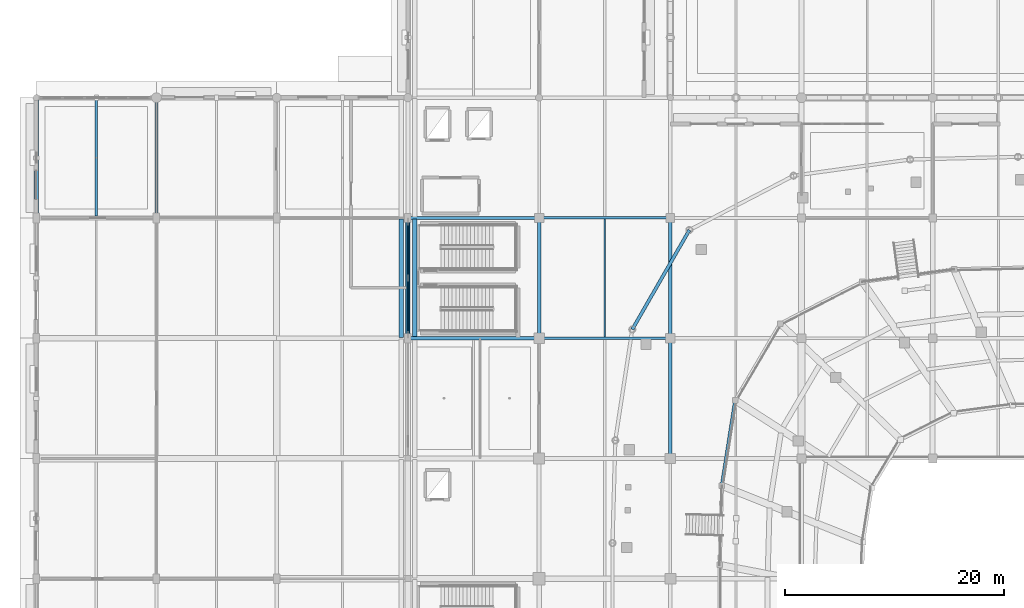
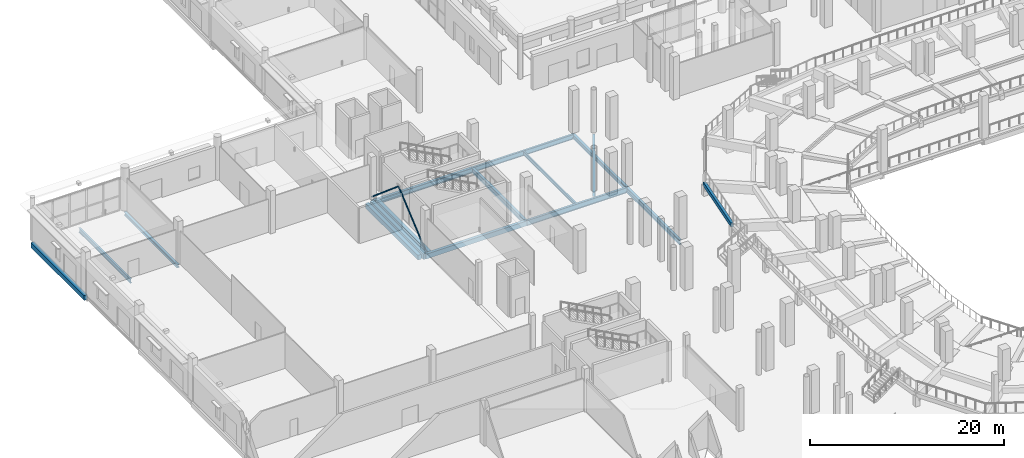
# One storey, part 22 of 120: 16 beams, 2 members.
"""IFC4 building model written with IfcOpenShell, lengths in metres."""

from ifc_helpers import new_model, si_unit, direction, frame, origin, origin_2d, place, context, subcontext, project, spatial, rectangle, hollow_rectangle, hollow_circle, i_section, extrude, material, material_profile, profile_set, type_object, element, save


model = new_model("IFC4")

# Units and contexts
model_context = context("Model", 3, precision=1e-05, world=origin(), true_north=direction((0.0, 1.0)))
body_context = subcontext(model_context, "Body", "Model", "MODEL_VIEW")
ifc_project = project(units=[si_unit("LENGTHUNIT", "METRE"), si_unit("AREAUNIT", "SQUARE_METRE"), si_unit("VOLUMEUNIT", "CUBIC_METRE"), si_unit("PLANEANGLEUNIT", "RADIAN"), si_unit("MASSUNIT", "GRAM", prefix="KILO")], contexts=[model_context])

# Site, building, storey
site_placement = place(None, origin())
site = spatial("IfcSite", under=ifc_project, at=site_placement, CompositionType="ELEMENT")
building_placement = place(site_placement, origin())
building = spatial("IfcBuilding", under=site, at=building_placement, Name="Luwafu Chhajja Arena", CompositionType="ELEMENT")
storey_placement = place(building_placement, origin())
storey = spatial("IfcBuildingStorey", under=building, at=storey_placement, Name="L00", CompositionType="ELEMENT", Elevation=0.0)

# Beam
ifc_material_1 = material(Name="Concrete C35/45", Category="concrete")
ifc_material_profile_1 = material_profile(ifc_material_1, rectangle(XDim=0.35009765625, YDim=0.60009765625, at=origin_2d()), Name="RC 350x600")
ifc_profile_set_1 = profile_set([ifc_material_profile_1], Name="Concrete C35/45")
beam_type_1 = type_object("IfcBeamType", Name="Arcade Tie Beam RC 350x600", PredefinedType="BEAM", material=ifc_profile_set_1)
beam_1_placement = place(storey_placement, frame((34.0, 77.0, -0.64990234375), z_axis=(1.0, 0.0, 0.0), x_axis=(0.0, 1.0, 0.0)))
element("IfcBeam", 1, at=beam_1_placement, inside=storey, type_object=beam_type_1, Name="L00 Grid Beam 4-5/H", PredefinedType="BEAM", context=body_context, shape_type="SweptSolid", body=[
    extrude(rectangle(XDim=0.35009765625, YDim=0.60009765625, at=origin_2d()), origin(), (0.0, 0.0, 1.0), 12.0),
])

# Members
ifc_material_2 = material(Name="Steel S355", Category="steel")
ifc_material_profile_2 = material_profile(ifc_material_2, hollow_circle(Radius=0.084228515625, WallThickness=0.008056640625, at=origin_2d()), Name="CHS 168.3x8")
ifc_profile_set_2 = profile_set([ifc_material_profile_2], Name="Steel S355")
member_type = type_object("IfcMemberType", Name="Canopy Hanger Brace CHS 168", PredefinedType="BRACE", material=ifc_profile_set_2)
for number, where, z_axis, x_axis, name in (
    (2, (34.0, 77.0, 0.1201171875), (0.0, 0.763656234515, 0.645623075398), (-1.0, 0.0, 0.0), "L00 Lateral Chevron Brace 12A"),
    (3, (34.0, 88.0, 0.1201171875), (0.0, -0.763656234515, 0.645623075398), (1.0, 0.0, 0.0), "L00 Lateral Chevron Brace 12B"),
):
    element("IfcMember", number, at=place(storey_placement, frame(where, z_axis=z_axis, x_axis=x_axis)), inside=storey, type_object=member_type, Name=name, PredefinedType="BRACE", context=body_context, shape_type="SweptSolid", body=[
        extrude(hollow_circle(Radius=0.084228515625, WallThickness=0.008056640625, at=origin_2d()), origin(), (0.0, 0.0, 1.0), 7.2021484375),
    ])

# Beams
ifc_material_profile_3 = material_profile(ifc_material_2, i_section(OverallWidth=0.15283203125, OverallDepth=0.45458984375, WebThickness=0.008056640625, FlangeThickness=0.01318359375, at=origin_2d()), Name="UB 457x152x60")
ifc_profile_set_3 = profile_set([ifc_material_profile_3], Name="Steel S355")
beam_type_2 = type_object("IfcBeamType", Name="Floor Joist UB 457x152x60", PredefinedType="JOIST", material=ifc_profile_set_3)
beam_2_placement = place(storey_placement, frame((52.0, 77.126953125, -0.577392578125), z_axis=(0.0, 1.0, 0.0), x_axis=(-1.0, 0.0, 0.0)))
element("IfcBeam", 4, at=beam_2_placement, inside=storey, type_object=beam_type_2, Name="L00 Secondary Joist 5-6/H", PredefinedType="JOIST", context=body_context, shape_type="SweptSolid", body=[
    extrude(i_section(OverallWidth=0.15283203125, OverallDepth=0.45458984375, WebThickness=0.008056640625, FlangeThickness=0.01318359375, at=origin_2d()), origin(), (0.0, 0.0, 1.0), 10.758544921875),
])
ifc_material_profile_4 = material_profile(ifc_material_2, i_section(OverallWidth=0.2099609375, OverallDepth=0.53662109375, WebThickness=0.0107421875, FlangeThickness=0.017333984375, at=origin_2d()), Name="UB 533x210x101")
ifc_profile_set_4 = profile_set([ifc_material_profile_4], Name="Steel S355")
beam_type_3 = type_object("IfcBeamType", Name="Floor Joist UB 533x210x101", PredefinedType="JOIST", material=ifc_profile_set_4)
beam_3_placement = place(storey_placement, frame((5.5, 88.199951171875, -0.618408203125), z_axis=(0.0, 1.0, 0.0), x_axis=(-1.0, 0.0, 0.0)))
element("IfcBeam", 5, at=beam_3_placement, inside=storey, type_object=beam_type_3, Name="L00 Secondary Joist 1-2/J", PredefinedType="JOIST", context=body_context, shape_type="SweptSolid", body=[
    extrude(i_section(OverallWidth=0.2099609375, OverallDepth=0.53662109375, WebThickness=0.0107421875, FlangeThickness=0.017333984375, at=origin_2d()), origin(), (0.0, 0.0, 1.0), 10.650146484375),
])
ifc_material_profile_5 = material_profile(ifc_material_2, hollow_rectangle(XDim=0.300048828125, YDim=0.5, WallThickness=0.02001953125, at=origin_2d()), Name="RHS 500x300x20")
ifc_profile_set_5 = profile_set([ifc_material_profile_5], Name="Steel S355")
beam_type_4 = type_object("IfcBeamType", Name="Pleated Drum Spandrel Beam RHS 500x300", PredefinedType="SPANDREL", material=ifc_profile_set_5)
beam_4_placement = place(storey_placement, frame((59.743896484375, 86.890869140625, -0.60009765625), z_axis=(-0.498192671921, -0.867066353657, 0.0), x_axis=(0.867066353657, -0.498192671921, 0.0)))
element("IfcBeam", 6, at=beam_4_placement, inside=storey, type_object=beam_type_4, Name="L00 Drum Ring Spandrel D13-D14", PredefinedType="SPANDREL", context=body_context, shape_type="SweptSolid", body=[
    extrude(hollow_rectangle(XDim=0.300048828125, YDim=0.5, WallThickness=0.02001953125, at=origin_2d()), origin(), (0.0, 0.0, 1.0), 10.477783203125),
])
ifc_material_profile_6 = material_profile(ifc_material_1, rectangle(XDim=0.39990234375, YDim=0.60009765625, at=origin_2d()), Name="RC 400x600")
ifc_profile_set_6 = profile_set([ifc_material_profile_6], Name="Concrete C35/45")
beam_type_5 = type_object("IfcBeamType", Name="Podium Perimeter Spandrel RC 400x600", PredefinedType="SPANDREL", material=ifc_profile_set_6)
beam_5_placement = place(storey_placement, frame((0.0, 88.0, -0.64990234375), z_axis=(0.0, 1.0, 0.0), x_axis=(-1.0, 0.0, 0.0)))
element("IfcBeam", 7, at=beam_5_placement, inside=storey, type_object=beam_type_5, Name="L00 Grid Beam 1/J-K", PredefinedType="SPANDREL", context=body_context, shape_type="SweptSolid", body=[
    extrude(rectangle(XDim=0.39990234375, YDim=0.60009765625, at=origin_2d()), origin(), (0.0, 0.0, 1.0), 11.0),
])
for number, where, z_axis, x_axis, name in (
    (8, (33.3798828125, 77.080078125, -0.64990234375), (0.0, 1.0, 0.0), (-1.0, 0.0, 0.0), "L00 Movement Joint MJ1W Seat Girder 07"),
    (9, (34.6201171875, 77.080078125, -0.64990234375), (0.0, 1.0, 0.0), (-1.0, 0.0, 0.0), "L00 Movement Joint MJ1E Seat Girder 07"),
):
    element("IfcBeam", number, at=place(storey_placement, frame(where, z_axis=z_axis, x_axis=x_axis)), inside=storey, type_object=beam_type_5, Name=name, PredefinedType="SPANDREL", context=body_context, shape_type="SweptSolid", body=[
        extrude(rectangle(XDim=0.39990234375, YDim=0.60009765625, at=origin_2d()), origin(), (0.0, 0.0, 1.0), 10.83984375),
    ])
ifc_material_profile_7 = material_profile(ifc_material_2, i_section(OverallWidth=0.300048828125, OverallDepth=0.5, WebThickness=0.014404296875, FlangeThickness=0.028076171875, at=origin_2d()), Name="HEB 500")
ifc_profile_set_7 = profile_set([ifc_material_profile_7], Name="Steel S355")
beam_type_6 = type_object("IfcBeamType", Name="Steel Atrium Tie Girder HEB 500", PredefinedType="BEAM", material=ifc_profile_set_7)
beam_6_placement = place(storey_placement, frame((58.0, 77.0, -0.60009765625), z_axis=(0.0, 1.0, 0.0), x_axis=(-1.0, 0.0, 0.0)))
element("IfcBeam", 10, at=beam_6_placement, inside=storey, type_object=beam_type_6, Name="L00 Grid Beam 6/H-J", PredefinedType="BEAM", context=body_context, shape_type="SweptSolid", body=[
    extrude(i_section(OverallWidth=0.300048828125, OverallDepth=0.5, WebThickness=0.014404296875, FlangeThickness=0.028076171875, at=origin_2d()), origin(), (0.0, 0.0, 1.0), 11.0),
])
ifc_material_profile_8 = material_profile(ifc_material_2, i_section(OverallWidth=0.253662109375, OverallDepth=0.68359375, WebThickness=0.012451171875, FlangeThickness=0.01904296875, at=origin_2d()), Name="UB 686x254x140")
ifc_profile_set_8 = profile_set([ifc_material_profile_8], Name="Steel S355")
beam_type_7 = type_object("IfcBeamType", Name="Steel Concourse Girder UB 686x254x140", PredefinedType="BEAM", material=ifc_profile_set_8)
beam_7_placement = place(storey_placement, frame((46.0, 77.0, -0.691650390625), z_axis=(1.0, 0.0, 0.0), x_axis=(0.0, 1.0, 0.0)))
element("IfcBeam", 11, at=beam_7_placement, inside=storey, type_object=beam_type_7, Name="L00 Grid Beam 5-6/H", PredefinedType="BEAM", context=body_context, shape_type="SweptSolid", body=[
    extrude(i_section(OverallWidth=0.253662109375, OverallDepth=0.68359375, WebThickness=0.012451171875, FlangeThickness=0.01904296875, at=origin_2d()), origin(), (0.0, 0.0, 1.0), 12.0),
])
ifc_material_profile_9 = material_profile(ifc_material_2, i_section(OverallWidth=0.300048828125, OverallDepth=0.60009765625, WebThickness=0.015380859375, FlangeThickness=0.030029296875, at=origin_2d()), Name="HEB 600")
ifc_profile_set_9 = profile_set([ifc_material_profile_9], Name="Steel S355")
beam_type_8 = type_object("IfcBeamType", Name="Steel Gallery Girder HEB 600", PredefinedType="BEAM", material=ifc_profile_set_9)
beam_8_placement = place(storey_placement, frame((58.0, 66.0, -0.64990234375), z_axis=(0.0, 1.0, 0.0), x_axis=(-1.0, 0.0, 0.0)))
element("IfcBeam", 12, at=beam_8_placement, inside=storey, type_object=beam_type_8, Name="L00 Grid Beam 6/G-H", PredefinedType="BEAM", context=body_context, shape_type="SweptSolid", body=[
    extrude(i_section(OverallWidth=0.300048828125, OverallDepth=0.60009765625, WebThickness=0.015380859375, FlangeThickness=0.030029296875, at=origin_2d()), origin(), (0.0, 0.0, 1.0), 11.0),
])
ifc_material_profile_10 = material_profile(ifc_material_2, i_section(OverallWidth=0.30712890625, OverallDepth=0.6201171875, WebThickness=0.01416015625, FlangeThickness=0.023681640625, at=origin_2d()), Name="UB 610x305x179")
ifc_profile_set_10 = profile_set([ifc_material_profile_10], Name="Steel S355")
beam_type_9 = type_object("IfcBeamType", Name="Steel Hospitality Girder UB 610x305x179", PredefinedType="BEAM", material=ifc_profile_set_10)
beam_9_placement = place(storey_placement, frame((34.0, 88.0, -0.66015625), z_axis=(1.0, 0.0, 0.0), x_axis=(0.0, 1.0, 0.0)))
element("IfcBeam", 13, at=beam_9_placement, inside=storey, type_object=beam_type_9, Name="L00 Grid Beam 4-5/J", PredefinedType="BEAM", context=body_context, shape_type="SweptSolid", body=[
    extrude(i_section(OverallWidth=0.30712890625, OverallDepth=0.6201171875, WebThickness=0.01416015625, FlangeThickness=0.023681640625, at=origin_2d()), origin(), (0.0, 0.0, 1.0), 12.0),
])
beam_10_placement = place(storey_placement, frame((46.0, 77.0, -0.66015625), z_axis=(0.0, 1.0, 0.0), x_axis=(-1.0, 0.0, 0.0)))
element("IfcBeam", 14, at=beam_10_placement, inside=storey, type_object=beam_type_9, Name="L00 Grid Beam 5/H-J", PredefinedType="BEAM", context=body_context, shape_type="SweptSolid", body=[
    extrude(i_section(OverallWidth=0.30712890625, OverallDepth=0.6201171875, WebThickness=0.01416015625, FlangeThickness=0.023681640625, at=origin_2d()), origin(), (0.0, 0.0, 1.0), 11.0),
])
ifc_material_profile_11 = material_profile(ifc_material_2, i_section(OverallWidth=0.22900390625, OverallDepth=0.6123046875, WebThickness=0.011962890625, FlangeThickness=0.01953125, at=origin_2d()), Name="UB 610x229x125")
ifc_profile_set_11 = profile_set([ifc_material_profile_11], Name="Steel S355")
beam_type_10 = type_object("IfcBeamType", Name="Steel Mezzanine Girder UB 610x229x125", PredefinedType="BEAM", material=ifc_profile_set_11)
beam_11_placement = place(storey_placement, frame((46.0, 88.0, -0.656005859375), z_axis=(1.0, 0.0, 0.0), x_axis=(0.0, 1.0, 0.0)))
element("IfcBeam", 15, at=beam_11_placement, inside=storey, type_object=beam_type_10, Name="L00 Grid Beam 5-6/J", PredefinedType="BEAM", context=body_context, shape_type="SweptSolid", body=[
    extrude(i_section(OverallWidth=0.22900390625, OverallDepth=0.6123046875, WebThickness=0.011962890625, FlangeThickness=0.01953125, at=origin_2d()), origin(), (0.0, 0.0, 1.0), 12.0),
])
ifc_material_profile_12 = material_profile(ifc_material_2, i_section(OverallWidth=0.300048828125, OverallDepth=0.39990234375, WebThickness=0.013427734375, FlangeThickness=0.02392578125, at=origin_2d()), Name="HEB 400")
ifc_profile_set_12 = profile_set([ifc_material_profile_12], Name="Steel S355")
beam_type_11 = type_object("IfcBeamType", Name="Steel Rigging Grid Beam HEB 400", PredefinedType="BEAM", material=ifc_profile_set_12)
beam_12_placement = place(storey_placement, frame((11.0, 88.0, -0.550048828125), z_axis=(0.0, 1.0, 0.0), x_axis=(-1.0, 0.0, 0.0)))
element("IfcBeam", 16, at=beam_12_placement, inside=storey, type_object=beam_type_11, Name="L00 Grid Beam 2/J-K", PredefinedType="BEAM", context=body_context, shape_type="SweptSolid", body=[
    extrude(i_section(OverallWidth=0.300048828125, OverallDepth=0.39990234375, WebThickness=0.013427734375, FlangeThickness=0.02392578125, at=origin_2d()), origin(), (0.0, 0.0, 1.0), 11.0),
])
ifc_material_3 = material(Name="Precast concrete C40/50", Category="concrete")
ifc_material_profile_13 = material_profile(ifc_material_3, rectangle(XDim=0.300048828125, YDim=0.5, at=origin_2d()), Name="RC 300x500")
ifc_profile_set_13 = profile_set([ifc_material_profile_13], Name="Precast concrete C40/50")
beam_type_12 = type_object("IfcBeamType", Name="Tier Support Beam RC 300x500", PredefinedType="BEAM", material=ifc_profile_set_13)
beam_13_placement = place(storey_placement, frame((63.93798828125, 71.322998046875, 1.3798828125), z_axis=(-0.15496009699, -0.987920729786, 0.0), x_axis=(0.987920729786, -0.15496009699, 0.0)))
element("IfcBeam", 17, at=beam_13_placement, inside=storey, type_object=beam_type_12, Name="Lower Tier Outer Ring Beam S14", PredefinedType="BEAM", context=body_context, shape_type="SweptSolid", body=[
    extrude(rectangle(XDim=0.300048828125, YDim=0.5, at=origin_2d()), origin(), (0.0, 0.0, 1.0), 7.9169921875),
])
ifc_material_profile_14 = material_profile(ifc_material_1, rectangle(XDim=0.39990234375, YDim=0.699951171875, at=origin_2d()), Name="RC 400x700")
ifc_profile_set_14 = profile_set([ifc_material_profile_14], Name="Concrete C35/45")
beam_type_13 = type_object("IfcBeamType", Name="Wing Frame Beam RC 400x700", PredefinedType="BEAM", material=ifc_profile_set_14)
beam_14_placement = place(storey_placement, frame((34.0, 77.0, -0.699951171875), z_axis=(0.0, 1.0, 0.0), x_axis=(-1.0, 0.0, 0.0)))
element("IfcBeam", 18, at=beam_14_placement, inside=storey, type_object=beam_type_13, Name="L00 Grid Beam 4/H-J", PredefinedType="BEAM", context=body_context, shape_type="SweptSolid", body=[
    extrude(rectangle(XDim=0.39990234375, YDim=0.699951171875, at=origin_2d()), origin(), (0.0, 0.0, 1.0), 11.0),
])

save(model, "model.ifc")
